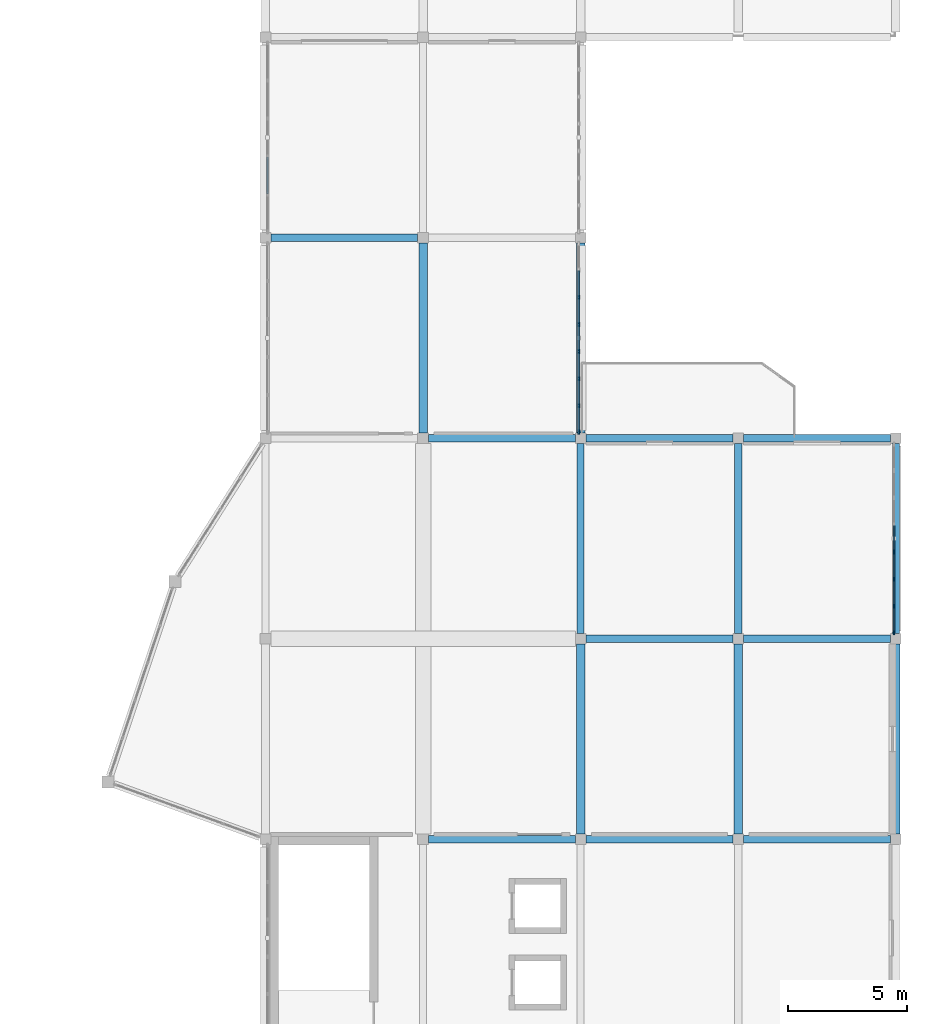
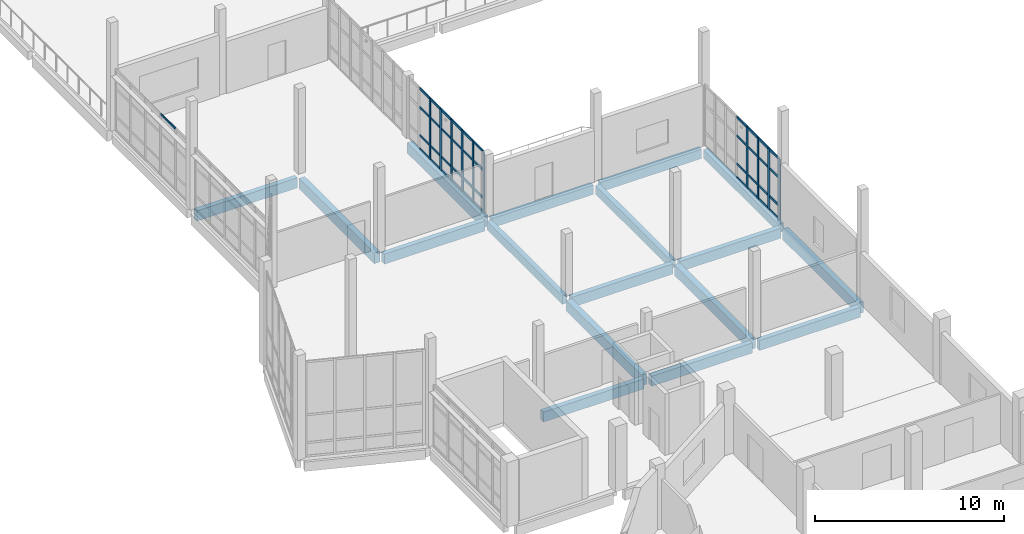
# One storey, part 33 of 78: 51 members, 17 beams, 3 elements without a shape of their own.
"""IFC4 building model written with IfcOpenShell, lengths in metres."""

from ifc_helpers import new_model, si_unit, direction, frame, origin, origin_2d, place, context, subcontext, project, spatial, rectangle, extrude, material, material_profile, profile_set, type_object, element, aggregate, save


model = new_model("IFC4")

# Units and contexts
model_context = context("Model", 3, precision=1e-05, world=origin(), true_north=direction((0.0, 1.0)))
body_context = subcontext(model_context, "Body", "Model", "MODEL_VIEW")
ifc_project = project(units=[si_unit("LENGTHUNIT", "METRE"), si_unit("AREAUNIT", "SQUARE_METRE"), si_unit("VOLUMEUNIT", "CUBIC_METRE"), si_unit("PLANEANGLEUNIT", "RADIAN"), si_unit("MASSUNIT", "GRAM", prefix="KILO")], contexts=[model_context])

# Site, building, storey
site_placement = place(None, origin())
site = spatial("IfcSite", under=ifc_project, at=site_placement, CompositionType="ELEMENT")
building_placement = place(site_placement, origin())
building = spatial("IfcBuilding", under=site, at=building_placement, Name="Qaldarim Faculty of Natural and Applied Sciences", CompositionType="ELEMENT")
storey_placement = place(building_placement, frame((0.0, 0.0, 18.60009765625)))
storey = spatial("IfcBuildingStorey", under=building, at=storey_placement, Name="L04", CompositionType="ELEMENT", Elevation=18.60009765625)

# Beams
ifc_material_1 = material(Name="Concrete C40/50", Category="concrete")
ifc_material_profile_1 = material_profile(ifc_material_1, rectangle(XDim=0.300048828125, YDim=0.550048828125, at=origin_2d()), Name="RC-B300x550")
ifc_profile_set_1 = profile_set([ifc_material_profile_1], Name="Concrete C40/50")
beam_type_1 = type_object("IfcBeamType", Name="FloorBeam-RC300x550", PredefinedType="BEAM", material=ifc_profile_set_1)
for number, where, z_axis, x_axis, name in (
    (1, (165.0, 75.824951171875, -0.53515625), (0.0, 1.0, 0.0), (-1.0, 0.0, 0.0), "Beam RC-B300x550 L03 X26/Y10-Y11"),
    (2, (171.60009765625, 75.824951171875, -0.53515625), (0.0, 1.0, 0.0), (-1.0, 0.0, 0.0), "Beam RC-B300x550 L03 X27/Y10-Y11"),
    (3, (178.199951171875, 75.824951171875, -0.53515625), (0.0, 1.0, 0.0), (-1.0, 0.0, 0.0), "Beam RC-B300x550 L03 X28/Y10-Y11"),
):
    element("IfcBeam", number, at=place(storey_placement, frame(where, z_axis=z_axis, x_axis=x_axis)), inside=storey, type_object=beam_type_1, Name=name, PredefinedType="BEAM", context=body_context, shape_type="SweptSolid", body=[
        extrude(rectangle(XDim=0.300048828125, YDim=0.550048828125, at=origin_2d()), origin(), (0.0, 0.0, 1.0), 7.949951171875),
    ])

# Curtain wall, members
ifc_material_2 = material(Name="Anodised aluminium AW-6063", Category="aluminium")
curtain_wall_type_1 = type_object("IfcCurtainWallType", Name="CurtainWallSystem-M1200", PredefinedType="USERDEFINED", material=ifc_material_2)
curtain_wall_1_placement = place(storey_placement, origin())
curtain_wall_1 = element("IfcCurtainWall", 4, at=curtain_wall_1_placement, inside=storey, type_object=curtain_wall_type_1, Name="Curtain wall CW-L04-E-X25Y11", ObjectType="STICK CURTAIN WALL", PredefinedType="USERDEFINED")
ifc_material_profile_2 = material_profile(ifc_material_2, rectangle(XDim=0.070068359375, YDim=0.179931640625, at=origin_2d()), Name="ALU-M70x180")
ifc_profile_set_2 = profile_set([ifc_material_profile_2], Name="Anodised aluminium AW-6063")
member_type_1 = type_object("IfcMemberType", Name="Mullion-ALU70x180", PredefinedType="MULLION", material=ifc_profile_set_2)
member_1_placement = place(storey_placement, frame((164.919921875, 84.2548828125, 0.0), z_axis=(0.0, 0.0, 1.0), x_axis=(-1.0, 0.0, 0.0)))
member_1 = element("IfcMember", 5, at=member_1_placement, type_object=member_type_1, Name="Mullion 1 of CW-L04-E-X25Y11", PredefinedType="MULLION", context=body_context, shape_type="SweptSolid", body=[
    extrude(rectangle(XDim=0.070068359375, YDim=0.179931640625, at=origin_2d()), origin(), (0.0, 0.0, 1.0), 3.93994140625),
])
member_2_placement = place(storey_placement, frame((164.919921875, 85.357177734375, 0.0), z_axis=(0.0, 0.0, 1.0), x_axis=(-1.0, 0.0, 0.0)))
member_2 = element("IfcMember", 6, at=member_2_placement, type_object=member_type_1, Name="Mullion 2 of CW-L04-E-X25Y11", PredefinedType="MULLION", context=body_context, shape_type="SweptSolid", body=[
    extrude(rectangle(XDim=0.070068359375, YDim=0.179931640625, at=origin_2d()), origin(), (0.0, 0.0, 1.0), 3.93994140625),
])
member_3_placement = place(storey_placement, frame((164.919921875, 86.494384765625, 0.0), z_axis=(0.0, 0.0, 1.0), x_axis=(-1.0, 0.0, 0.0)))
member_3 = element("IfcMember", 7, at=member_3_placement, type_object=member_type_1, Name="Mullion 3 of CW-L04-E-X25Y11", PredefinedType="MULLION", context=body_context, shape_type="SweptSolid", body=[
    extrude(rectangle(XDim=0.070068359375, YDim=0.179931640625, at=origin_2d()), origin(), (0.0, 0.0, 1.0), 3.93994140625),
])
member_4_placement = place(storey_placement, frame((164.919921875, 87.63134765625, 0.0), z_axis=(0.0, 0.0, 1.0), x_axis=(-1.0, 0.0, 0.0)))
member_4 = element("IfcMember", 8, at=member_4_placement, type_object=member_type_1, Name="Mullion 4 of CW-L04-E-X25Y11", PredefinedType="MULLION", context=body_context, shape_type="SweptSolid", body=[
    extrude(rectangle(XDim=0.070068359375, YDim=0.179931640625, at=origin_2d()), origin(), (0.0, 0.0, 1.0), 3.93994140625),
])
member_5_placement = place(storey_placement, frame((164.919921875, 88.7685546875, 0.0), z_axis=(0.0, 0.0, 1.0), x_axis=(-1.0, 0.0, 0.0)))
member_5 = element("IfcMember", 9, at=member_5_placement, type_object=member_type_1, Name="Mullion 5 of CW-L04-E-X25Y11", PredefinedType="MULLION", context=body_context, shape_type="SweptSolid", body=[
    extrude(rectangle(XDim=0.070068359375, YDim=0.179931640625, at=origin_2d()), origin(), (0.0, 0.0, 1.0), 3.93994140625),
])
member_6_placement = place(storey_placement, frame((164.919921875, 89.90576171875, 0.0), z_axis=(0.0, 0.0, 1.0), x_axis=(-1.0, 0.0, 0.0)))
member_6 = element("IfcMember", 10, at=member_6_placement, type_object=member_type_1, Name="Mullion 6 of CW-L04-E-X25Y11", PredefinedType="MULLION", context=body_context, shape_type="SweptSolid", body=[
    extrude(rectangle(XDim=0.070068359375, YDim=0.179931640625, at=origin_2d()), origin(), (0.0, 0.0, 1.0), 3.93994140625),
])

curtain_wall_2_placement = place(storey_placement, origin())
curtain_wall_2 = element("IfcCurtainWall", 11, at=curtain_wall_2_placement, inside=storey, type_object=curtain_wall_type_1, Name="Curtain wall CW-L04-E-X27Y10", ObjectType="STICK CURTAIN WALL", PredefinedType="USERDEFINED")
member_7_placement = place(storey_placement, frame((178.1201171875, 75.85498046875, 0.0), z_axis=(0.0, 0.0, 1.0), x_axis=(-1.0, 0.0, 0.0)))
member_7 = element("IfcMember", 12, at=member_7_placement, type_object=member_type_1, Name="Mullion 1 of CW-L04-E-X27Y10", PredefinedType="MULLION", context=body_context, shape_type="SweptSolid", body=[
    extrude(rectangle(XDim=0.070068359375, YDim=0.179931640625, at=origin_2d()), origin(), (0.0, 0.0, 1.0), 3.93994140625),
])
member_8_placement = place(storey_placement, frame((178.1201171875, 76.95703125, 0.0), z_axis=(0.0, 0.0, 1.0), x_axis=(-1.0, 0.0, 0.0)))
member_8 = element("IfcMember", 13, at=member_8_placement, type_object=member_type_1, Name="Mullion 2 of CW-L04-E-X27Y10", PredefinedType="MULLION", context=body_context, shape_type="SweptSolid", body=[
    extrude(rectangle(XDim=0.070068359375, YDim=0.179931640625, at=origin_2d()), origin(), (0.0, 0.0, 1.0), 3.93994140625),
])
member_9_placement = place(storey_placement, frame((178.1201171875, 78.09423828125, 0.0), z_axis=(0.0, 0.0, 1.0), x_axis=(-1.0, 0.0, 0.0)))
member_9 = element("IfcMember", 14, at=member_9_placement, type_object=member_type_1, Name="Mullion 3 of CW-L04-E-X27Y10", PredefinedType="MULLION", context=body_context, shape_type="SweptSolid", body=[
    extrude(rectangle(XDim=0.070068359375, YDim=0.179931640625, at=origin_2d()), origin(), (0.0, 0.0, 1.0), 3.93994140625),
])
member_10_placement = place(storey_placement, frame((178.1201171875, 79.2314453125, 0.0), z_axis=(0.0, 0.0, 1.0), x_axis=(-1.0, 0.0, 0.0)))
member_10 = element("IfcMember", 15, at=member_10_placement, type_object=member_type_1, Name="Mullion 4 of CW-L04-E-X27Y10", PredefinedType="MULLION", context=body_context, shape_type="SweptSolid", body=[
    extrude(rectangle(XDim=0.070068359375, YDim=0.179931640625, at=origin_2d()), origin(), (0.0, 0.0, 1.0), 3.93994140625),
])

# Beams
ifc_material_profile_3 = material_profile(ifc_material_1, rectangle(XDim=0.300048828125, YDim=0.64990234375, at=origin_2d()), Name="RC-B300x650")
ifc_profile_set_3 = profile_set([ifc_material_profile_3], Name="Concrete C40/50")
beam_type_2 = type_object("IfcBeamType", Name="PrimaryBeam-RC300x650", PredefinedType="BEAM", material=ifc_profile_set_3)
for number, where, z_axis, x_axis, name in (
    (16, (158.625, 67.199951171875, -0.585205078125), (1.0, 0.0, 0.0), (0.0, 1.0, 0.0), "Beam RC-B300x650 L03 X25-X26/Y09"),
    (17, (165.22509765625, 67.199951171875, -0.585205078125), (1.0, 0.0, 0.0), (0.0, 1.0, 0.0), "Beam RC-B300x650 L03 X26-X27/Y09"),
):
    element("IfcBeam", number, at=place(storey_placement, frame(where, z_axis=z_axis, x_axis=x_axis)), inside=storey, type_object=beam_type_2, Name=name, PredefinedType="BEAM", context=body_context, shape_type="SweptSolid", body=[
        extrude(rectangle(XDim=0.300048828125, YDim=0.64990234375, at=origin_2d()), origin(), (0.0, 0.0, 1.0), 6.14990234375),
    ])
beam_1_placement = place(storey_placement, frame((171.824951171875, 67.199951171875, -0.585205078125), z_axis=(1.0, 0.0, 0.0), x_axis=(0.0, 1.0, 0.0)))
element("IfcBeam", 18, at=beam_1_placement, inside=storey, type_object=beam_type_2, Name="Beam RC-B300x650 L03 X27-X28/Y09", PredefinedType="BEAM", context=body_context, shape_type="SweptSolid", body=[
    extrude(rectangle(XDim=0.300048828125, YDim=0.64990234375, at=origin_2d()), origin(), (0.0, 0.0, 1.0), 6.150146484375),
])
beam_2_placement = place(storey_placement, frame((165.22509765625, 75.60009765625, -0.585205078125), z_axis=(1.0, 0.0, 0.0), x_axis=(0.0, 1.0, 0.0)))
element("IfcBeam", 19, at=beam_2_placement, inside=storey, type_object=beam_type_2, Name="Beam RC-B300x650 L03 X26-X27/Y10", PredefinedType="BEAM", context=body_context, shape_type="SweptSolid", body=[
    extrude(rectangle(XDim=0.300048828125, YDim=0.64990234375, at=origin_2d()), origin(), (0.0, 0.0, 1.0), 6.14990234375),
])
beam_3_placement = place(storey_placement, frame((171.824951171875, 75.60009765625, -0.585205078125), z_axis=(1.0, 0.0, 0.0), x_axis=(0.0, 1.0, 0.0)))
element("IfcBeam", 20, at=beam_3_placement, inside=storey, type_object=beam_type_2, Name="Beam RC-B300x650 L03 X27-X28/Y10", PredefinedType="BEAM", context=body_context, shape_type="SweptSolid", body=[
    extrude(rectangle(XDim=0.300048828125, YDim=0.64990234375, at=origin_2d()), origin(), (0.0, 0.0, 1.0), 6.150146484375),
])
beam_4_placement = place(storey_placement, frame((158.625, 84.0, -0.585205078125), z_axis=(1.0, 0.0, 0.0), x_axis=(0.0, 1.0, 0.0)))
element("IfcBeam", 21, at=beam_4_placement, inside=storey, type_object=beam_type_2, Name="Beam RC-B300x650 L03 X25-X26/Y11", PredefinedType="BEAM", context=body_context, shape_type="SweptSolid", body=[
    extrude(rectangle(XDim=0.300048828125, YDim=0.64990234375, at=origin_2d()), origin(), (0.0, 0.0, 1.0), 6.14990234375),
])
beam_5_placement = place(storey_placement, frame((152.02490234375, 92.39990234375, -0.585205078125), z_axis=(1.0, 0.0, 0.0), x_axis=(0.0, 1.0, 0.0)))
element("IfcBeam", 22, at=beam_5_placement, inside=storey, type_object=beam_type_2, Name="Beam RC-B300x650 L03 X24-X25/Y12", PredefinedType="BEAM", context=body_context, shape_type="SweptSolid", body=[
    extrude(rectangle(XDim=0.300048828125, YDim=0.64990234375, at=origin_2d()), origin(), (0.0, 0.0, 1.0), 6.150146484375),
])
ifc_material_profile_4 = material_profile(ifc_material_1, rectangle(XDim=0.35009765625, YDim=0.699951171875, at=origin_2d()), Name="RC-B350x700")
ifc_profile_set_4 = profile_set([ifc_material_profile_4], Name="Concrete C40/50")
beam_type_3 = type_object("IfcBeamType", Name="PrimaryGirder-RC350x700", PredefinedType="BEAM", material=ifc_profile_set_4)
for number, where, z_axis, x_axis, name in (
    (23, (158.39990234375, 84.22509765625, -0.610107421875), (0.0, 1.0, 0.0), (-1.0, 0.0, 0.0), "Beam RC-B350x700 L03 X25/Y11-Y12"),
    (24, (165.0, 67.425048828125, -0.610107421875), (0.0, 1.0, 0.0), (-1.0, 0.0, 0.0), "Beam RC-B350x700 L03 X26/Y09-Y10"),
    (25, (165.0, 84.22509765625, -0.610107421875), (0.0, 1.0, 0.0), (-1.0, 0.0, 0.0), "Beam RC-B350x700 L03 X26/Y11-Y12"),
    (26, (171.60009765625, 67.425048828125, -0.610107421875), (0.0, 1.0, 0.0), (-1.0, 0.0, 0.0), "Beam RC-B350x700 L03 X27/Y09-Y10"),
    (27, (178.199951171875, 67.425048828125, -0.610107421875), (0.0, 1.0, 0.0), (-1.0, 0.0, 0.0), "Beam RC-B350x700 L03 X28/Y09-Y10"),
):
    element("IfcBeam", number, at=place(storey_placement, frame(where, z_axis=z_axis, x_axis=x_axis)), inside=storey, type_object=beam_type_3, Name=name, PredefinedType="BEAM", context=body_context, shape_type="SweptSolid", body=[
        extrude(rectangle(XDim=0.35009765625, YDim=0.699951171875, at=origin_2d()), origin(), (0.0, 0.0, 1.0), 7.949951171875),
    ])
ifc_material_3 = material(Name="Precast concrete C40/50", Category="concrete")
ifc_material_profile_5 = material_profile(ifc_material_3, rectangle(XDim=0.300048828125, YDim=0.60009765625, at=origin_2d()), Name="RC-SP300x600")
ifc_profile_set_5 = profile_set([ifc_material_profile_5], Name="Precast concrete C40/50")
beam_type_4 = type_object("IfcBeamType", Name="SpandrelBeam-RC300x600", PredefinedType="SPANDREL", material=ifc_profile_set_5)
beam_6_placement = place(storey_placement, frame((165.22509765625, 84.0, -0.56005859375), z_axis=(1.0, 0.0, 0.0), x_axis=(0.0, 1.0, 0.0)))
element("IfcBeam", 28, at=beam_6_placement, inside=storey, type_object=beam_type_4, Name="Beam RC-SP300x600 L03 X26-X27/Y11", PredefinedType="SPANDREL", context=body_context, shape_type="SweptSolid", body=[
    extrude(rectangle(XDim=0.300048828125, YDim=0.60009765625, at=origin_2d()), origin(), (0.0, 0.0, 1.0), 6.14990234375),
])
beam_7_placement = place(storey_placement, frame((171.824951171875, 84.0, -0.56005859375), z_axis=(1.0, 0.0, 0.0), x_axis=(0.0, 1.0, 0.0)))
element("IfcBeam", 29, at=beam_7_placement, inside=storey, type_object=beam_type_4, Name="Beam RC-SP300x600 L03 X27-X28/Y11", PredefinedType="SPANDREL", context=body_context, shape_type="SweptSolid", body=[
    extrude(rectangle(XDim=0.300048828125, YDim=0.60009765625, at=origin_2d()), origin(), (0.0, 0.0, 1.0), 6.150146484375),
])

# Curtain wall, member
curtain_wall_type_2 = type_object("IfcCurtainWallType", Name="CurtainWallSystem-M1600", PredefinedType="USERDEFINED", material=ifc_material_2)
curtain_wall_3_placement = place(storey_placement, origin())
curtain_wall_3 = element("IfcCurtainWall", 30, at=curtain_wall_3_placement, inside=storey, type_object=curtain_wall_type_2, Name="Curtain wall CW-L04-W-X24Y12", ObjectType="UNITISED FACADE", PredefinedType="USERDEFINED")
ifc_material_profile_6 = material_profile(ifc_material_2, rectangle(XDim=0.06005859375, YDim=0.1201171875, at=origin_2d()), Name="ALU-T60x120")
ifc_profile_set_6 = profile_set([ifc_material_profile_6], Name="Anodised aluminium AW-6063")
member_type_2 = type_object("IfcMemberType", Name="Transom-ALU60x120", PredefinedType="USERDEFINED", material=ifc_profile_set_6)
member_11_placement = place(storey_placement, frame((151.8798828125, 95.77392578125, 3.909912109375), z_axis=(0.0, -1.0, 0.0), x_axis=(1.0, 0.0, 0.0)))
member_11 = element("IfcMember", 31, at=member_11_placement, type_object=member_type_2, Name="Transom 4-4 of CW-L04-W-X24Y12", ObjectType="TRANSOM", PredefinedType="USERDEFINED", context=body_context, shape_type="SweptSolid", body=[
    extrude(rectangle(XDim=0.06005859375, YDim=0.1201171875, at=origin_2d()), origin(), (0.0, 0.0, 1.0), 1.531982421875),
])
aggregate(curtain_wall_3, [member_11])

# Member
ifc_material_profile_7 = material_profile(ifc_material_2, rectangle(XDim=0.070068359375, YDim=0.139892578125, at=origin_2d()), Name="ALU-T70x140")
ifc_profile_set_7 = profile_set([ifc_material_profile_7], Name="Anodised aluminium AW-6063")
member_type_3 = type_object("IfcMemberType", Name="Transom-ALU70x140", PredefinedType="USERDEFINED", material=ifc_profile_set_7)
member_12_placement = place(storey_placement, frame((164.919921875, 84.2900390625, 0.034912109375), z_axis=(0.0, 1.0, 0.0), x_axis=(-1.0, 0.0, 0.0)))
member_12 = element("IfcMember", 32, at=member_12_placement, type_object=member_type_3, Name="Transom 1-1 of CW-L04-E-X25Y11", ObjectType="TRANSOM", PredefinedType="USERDEFINED", context=body_context, shape_type="SweptSolid", body=[
    extrude(rectangle(XDim=0.070068359375, YDim=0.139892578125, at=origin_2d()), origin(), (0.0, 0.0, 1.0), 1.031982421875),
])

member_13_placement = place(storey_placement, frame((164.919921875, 84.2900390625, 0.89990234375), z_axis=(0.0, 1.0, 0.0), x_axis=(-1.0, 0.0, 0.0)))
member_13 = element("IfcMember", 33, at=member_13_placement, type_object=member_type_3, Name="Transom 1-2 of CW-L04-E-X25Y11", ObjectType="TRANSOM", PredefinedType="USERDEFINED", context=body_context, shape_type="SweptSolid", body=[
    extrude(rectangle(XDim=0.070068359375, YDim=0.139892578125, at=origin_2d()), origin(), (0.0, 0.0, 1.0), 1.031982421875),
])

member_14_placement = place(storey_placement, frame((164.919921875, 84.2900390625, 2.699951171875), z_axis=(0.0, 1.0, 0.0), x_axis=(-1.0, 0.0, 0.0)))
member_14 = element("IfcMember", 34, at=member_14_placement, type_object=member_type_3, Name="Transom 1-3 of CW-L04-E-X25Y11", ObjectType="TRANSOM", PredefinedType="USERDEFINED", context=body_context, shape_type="SweptSolid", body=[
    extrude(rectangle(XDim=0.070068359375, YDim=0.139892578125, at=origin_2d()), origin(), (0.0, 0.0, 1.0), 1.031982421875),
])

member_15_placement = place(storey_placement, frame((164.919921875, 84.2900390625, 3.90478515625), z_axis=(0.0, 1.0, 0.0), x_axis=(-1.0, 0.0, 0.0)))
member_15 = element("IfcMember", 35, at=member_15_placement, type_object=member_type_3, Name="Transom 1-4 of CW-L04-E-X25Y11", ObjectType="TRANSOM", PredefinedType="USERDEFINED", context=body_context, shape_type="SweptSolid", body=[
    extrude(rectangle(XDim=0.070068359375, YDim=0.139892578125, at=origin_2d()), origin(), (0.0, 0.0, 1.0), 1.031982421875),
])

member_16_placement = place(storey_placement, frame((164.919921875, 85.39208984375, 0.034912109375), z_axis=(0.0, 1.0, 0.0), x_axis=(-1.0, 0.0, 0.0)))
member_16 = element("IfcMember", 36, at=member_16_placement, type_object=member_type_3, Name="Transom 2-1 of CW-L04-E-X25Y11", ObjectType="TRANSOM", PredefinedType="USERDEFINED", context=body_context, shape_type="SweptSolid", body=[
    extrude(rectangle(XDim=0.070068359375, YDim=0.139892578125, at=origin_2d()), origin(), (0.0, 0.0, 1.0), 1.067138671875),
])

member_17_placement = place(storey_placement, frame((164.919921875, 85.39208984375, 0.89990234375), z_axis=(0.0, 1.0, 0.0), x_axis=(-1.0, 0.0, 0.0)))
member_17 = element("IfcMember", 37, at=member_17_placement, type_object=member_type_3, Name="Transom 2-2 of CW-L04-E-X25Y11", ObjectType="TRANSOM", PredefinedType="USERDEFINED", context=body_context, shape_type="SweptSolid", body=[
    extrude(rectangle(XDim=0.070068359375, YDim=0.139892578125, at=origin_2d()), origin(), (0.0, 0.0, 1.0), 1.067138671875),
])

member_18_placement = place(storey_placement, frame((164.919921875, 85.39208984375, 2.699951171875), z_axis=(0.0, 1.0, 0.0), x_axis=(-1.0, 0.0, 0.0)))
member_18 = element("IfcMember", 38, at=member_18_placement, type_object=member_type_3, Name="Transom 2-3 of CW-L04-E-X25Y11", ObjectType="TRANSOM", PredefinedType="USERDEFINED", context=body_context, shape_type="SweptSolid", body=[
    extrude(rectangle(XDim=0.070068359375, YDim=0.139892578125, at=origin_2d()), origin(), (0.0, 0.0, 1.0), 1.067138671875),
])

member_19_placement = place(storey_placement, frame((164.919921875, 85.39208984375, 3.90478515625), z_axis=(0.0, 1.0, 0.0), x_axis=(-1.0, 0.0, 0.0)))
member_19 = element("IfcMember", 39, at=member_19_placement, type_object=member_type_3, Name="Transom 2-4 of CW-L04-E-X25Y11", ObjectType="TRANSOM", PredefinedType="USERDEFINED", context=body_context, shape_type="SweptSolid", body=[
    extrude(rectangle(XDim=0.070068359375, YDim=0.139892578125, at=origin_2d()), origin(), (0.0, 0.0, 1.0), 1.067138671875),
])

member_20_placement = place(storey_placement, frame((164.919921875, 86.529296875, 0.034912109375), z_axis=(0.0, 1.0, 0.0), x_axis=(-1.0, 0.0, 0.0)))
member_20 = element("IfcMember", 40, at=member_20_placement, type_object=member_type_3, Name="Transom 3-1 of CW-L04-E-X25Y11", ObjectType="TRANSOM", PredefinedType="USERDEFINED", context=body_context, shape_type="SweptSolid", body=[
    extrude(rectangle(XDim=0.070068359375, YDim=0.139892578125, at=origin_2d()), origin(), (0.0, 0.0, 1.0), 1.067138671875),
])

member_21_placement = place(storey_placement, frame((164.919921875, 86.529296875, 0.89990234375), z_axis=(0.0, 1.0, 0.0), x_axis=(-1.0, 0.0, 0.0)))
member_21 = element("IfcMember", 41, at=member_21_placement, type_object=member_type_3, Name="Transom 3-2 of CW-L04-E-X25Y11", ObjectType="TRANSOM", PredefinedType="USERDEFINED", context=body_context, shape_type="SweptSolid", body=[
    extrude(rectangle(XDim=0.070068359375, YDim=0.139892578125, at=origin_2d()), origin(), (0.0, 0.0, 1.0), 1.067138671875),
])

member_22_placement = place(storey_placement, frame((164.919921875, 86.529296875, 2.699951171875), z_axis=(0.0, 1.0, 0.0), x_axis=(-1.0, 0.0, 0.0)))
member_22 = element("IfcMember", 42, at=member_22_placement, type_object=member_type_3, Name="Transom 3-3 of CW-L04-E-X25Y11", ObjectType="TRANSOM", PredefinedType="USERDEFINED", context=body_context, shape_type="SweptSolid", body=[
    extrude(rectangle(XDim=0.070068359375, YDim=0.139892578125, at=origin_2d()), origin(), (0.0, 0.0, 1.0), 1.067138671875),
])

member_23_placement = place(storey_placement, frame((164.919921875, 86.529296875, 3.90478515625), z_axis=(0.0, 1.0, 0.0), x_axis=(-1.0, 0.0, 0.0)))
member_23 = element("IfcMember", 43, at=member_23_placement, type_object=member_type_3, Name="Transom 3-4 of CW-L04-E-X25Y11", ObjectType="TRANSOM", PredefinedType="USERDEFINED", context=body_context, shape_type="SweptSolid", body=[
    extrude(rectangle(XDim=0.070068359375, YDim=0.139892578125, at=origin_2d()), origin(), (0.0, 0.0, 1.0), 1.067138671875),
])

member_24_placement = place(storey_placement, frame((164.919921875, 87.66650390625, 0.034912109375), z_axis=(0.0, 1.0, 0.0), x_axis=(-1.0, 0.0, 0.0)))
member_24 = element("IfcMember", 44, at=member_24_placement, type_object=member_type_3, Name="Transom 4-1 of CW-L04-E-X25Y11", ObjectType="TRANSOM", PredefinedType="USERDEFINED", context=body_context, shape_type="SweptSolid", body=[
    extrude(rectangle(XDim=0.070068359375, YDim=0.139892578125, at=origin_2d()), origin(), (0.0, 0.0, 1.0), 1.067138671875),
])

member_25_placement = place(storey_placement, frame((164.919921875, 87.66650390625, 0.89990234375), z_axis=(0.0, 1.0, 0.0), x_axis=(-1.0, 0.0, 0.0)))
member_25 = element("IfcMember", 45, at=member_25_placement, type_object=member_type_3, Name="Transom 4-2 of CW-L04-E-X25Y11", ObjectType="TRANSOM", PredefinedType="USERDEFINED", context=body_context, shape_type="SweptSolid", body=[
    extrude(rectangle(XDim=0.070068359375, YDim=0.139892578125, at=origin_2d()), origin(), (0.0, 0.0, 1.0), 1.067138671875),
])

member_26_placement = place(storey_placement, frame((164.919921875, 87.66650390625, 2.699951171875), z_axis=(0.0, 1.0, 0.0), x_axis=(-1.0, 0.0, 0.0)))
member_26 = element("IfcMember", 46, at=member_26_placement, type_object=member_type_3, Name="Transom 4-3 of CW-L04-E-X25Y11", ObjectType="TRANSOM", PredefinedType="USERDEFINED", context=body_context, shape_type="SweptSolid", body=[
    extrude(rectangle(XDim=0.070068359375, YDim=0.139892578125, at=origin_2d()), origin(), (0.0, 0.0, 1.0), 1.067138671875),
])

member_27_placement = place(storey_placement, frame((164.919921875, 87.66650390625, 3.90478515625), z_axis=(0.0, 1.0, 0.0), x_axis=(-1.0, 0.0, 0.0)))
member_27 = element("IfcMember", 47, at=member_27_placement, type_object=member_type_3, Name="Transom 4-4 of CW-L04-E-X25Y11", ObjectType="TRANSOM", PredefinedType="USERDEFINED", context=body_context, shape_type="SweptSolid", body=[
    extrude(rectangle(XDim=0.070068359375, YDim=0.139892578125, at=origin_2d()), origin(), (0.0, 0.0, 1.0), 1.067138671875),
])

member_28_placement = place(storey_placement, frame((164.919921875, 88.8037109375, 0.034912109375), z_axis=(0.0, 1.0, 0.0), x_axis=(-1.0, 0.0, 0.0)))
member_28 = element("IfcMember", 48, at=member_28_placement, type_object=member_type_3, Name="Transom 5-1 of CW-L04-E-X25Y11", ObjectType="TRANSOM", PredefinedType="USERDEFINED", context=body_context, shape_type="SweptSolid", body=[
    extrude(rectangle(XDim=0.070068359375, YDim=0.139892578125, at=origin_2d()), origin(), (0.0, 0.0, 1.0), 1.06689453125),
])

member_29_placement = place(storey_placement, frame((164.919921875, 88.8037109375, 0.89990234375), z_axis=(0.0, 1.0, 0.0), x_axis=(-1.0, 0.0, 0.0)))
member_29 = element("IfcMember", 49, at=member_29_placement, type_object=member_type_3, Name="Transom 5-2 of CW-L04-E-X25Y11", ObjectType="TRANSOM", PredefinedType="USERDEFINED", context=body_context, shape_type="SweptSolid", body=[
    extrude(rectangle(XDim=0.070068359375, YDim=0.139892578125, at=origin_2d()), origin(), (0.0, 0.0, 1.0), 1.06689453125),
])

member_30_placement = place(storey_placement, frame((164.919921875, 88.8037109375, 2.699951171875), z_axis=(0.0, 1.0, 0.0), x_axis=(-1.0, 0.0, 0.0)))
member_30 = element("IfcMember", 50, at=member_30_placement, type_object=member_type_3, Name="Transom 5-3 of CW-L04-E-X25Y11", ObjectType="TRANSOM", PredefinedType="USERDEFINED", context=body_context, shape_type="SweptSolid", body=[
    extrude(rectangle(XDim=0.070068359375, YDim=0.139892578125, at=origin_2d()), origin(), (0.0, 0.0, 1.0), 1.06689453125),
])

member_31_placement = place(storey_placement, frame((164.919921875, 88.8037109375, 3.90478515625), z_axis=(0.0, 1.0, 0.0), x_axis=(-1.0, 0.0, 0.0)))
member_31 = element("IfcMember", 51, at=member_31_placement, type_object=member_type_3, Name="Transom 5-4 of CW-L04-E-X25Y11", ObjectType="TRANSOM", PredefinedType="USERDEFINED", context=body_context, shape_type="SweptSolid", body=[
    extrude(rectangle(XDim=0.070068359375, YDim=0.139892578125, at=origin_2d()), origin(), (0.0, 0.0, 1.0), 1.06689453125),
])

member_32_placement = place(storey_placement, frame((164.919921875, 89.940673828125, 0.034912109375), z_axis=(0.0, 1.0, 0.0), x_axis=(-1.0, 0.0, 0.0)))
member_32 = element("IfcMember", 52, at=member_32_placement, type_object=member_type_3, Name="Transom 6-1 of CW-L04-E-X25Y11", ObjectType="TRANSOM", PredefinedType="USERDEFINED", context=body_context, shape_type="SweptSolid", body=[
    extrude(rectangle(XDim=0.070068359375, YDim=0.139892578125, at=origin_2d()), origin(), (0.0, 0.0, 1.0), 1.067138671875),
])

member_33_placement = place(storey_placement, frame((164.919921875, 89.940673828125, 0.89990234375), z_axis=(0.0, 1.0, 0.0), x_axis=(-1.0, 0.0, 0.0)))
member_33 = element("IfcMember", 53, at=member_33_placement, type_object=member_type_3, Name="Transom 6-2 of CW-L04-E-X25Y11", ObjectType="TRANSOM", PredefinedType="USERDEFINED", context=body_context, shape_type="SweptSolid", body=[
    extrude(rectangle(XDim=0.070068359375, YDim=0.139892578125, at=origin_2d()), origin(), (0.0, 0.0, 1.0), 1.067138671875),
])

member_34_placement = place(storey_placement, frame((164.919921875, 89.940673828125, 2.699951171875), z_axis=(0.0, 1.0, 0.0), x_axis=(-1.0, 0.0, 0.0)))
member_34 = element("IfcMember", 54, at=member_34_placement, type_object=member_type_3, Name="Transom 6-3 of CW-L04-E-X25Y11", ObjectType="TRANSOM", PredefinedType="USERDEFINED", context=body_context, shape_type="SweptSolid", body=[
    extrude(rectangle(XDim=0.070068359375, YDim=0.139892578125, at=origin_2d()), origin(), (0.0, 0.0, 1.0), 1.067138671875),
])

member_35_placement = place(storey_placement, frame((164.919921875, 89.940673828125, 3.90478515625), z_axis=(0.0, 1.0, 0.0), x_axis=(-1.0, 0.0, 0.0)))
member_35 = element("IfcMember", 55, at=member_35_placement, type_object=member_type_3, Name="Transom 6-4 of CW-L04-E-X25Y11", ObjectType="TRANSOM", PredefinedType="USERDEFINED", context=body_context, shape_type="SweptSolid", body=[
    extrude(rectangle(XDim=0.070068359375, YDim=0.139892578125, at=origin_2d()), origin(), (0.0, 0.0, 1.0), 1.067138671875),
])

aggregate(curtain_wall_1, [member_1, member_2, member_3, member_4, member_5, member_6, member_12, member_13, member_14, member_15, member_16, member_17, member_18, member_19, member_20, member_21, member_22, member_23, member_24, member_25, member_26, member_27, member_28, member_29, member_30, member_31, member_32, member_33, member_34, member_35])

member_36_placement = place(storey_placement, frame((178.1201171875, 75.889892578125, 0.034912109375), z_axis=(0.0, 1.0, 0.0), x_axis=(-1.0, 0.0, 0.0)))
member_36 = element("IfcMember", 56, at=member_36_placement, type_object=member_type_3, Name="Transom 1-1 of CW-L04-E-X27Y10", ObjectType="TRANSOM", PredefinedType="USERDEFINED", context=body_context, shape_type="SweptSolid", body=[
    extrude(rectangle(XDim=0.070068359375, YDim=0.139892578125, at=origin_2d()), origin(), (0.0, 0.0, 1.0), 1.0322265625),
])

member_37_placement = place(storey_placement, frame((178.1201171875, 75.889892578125, 0.89990234375), z_axis=(0.0, 1.0, 0.0), x_axis=(-1.0, 0.0, 0.0)))
member_37 = element("IfcMember", 57, at=member_37_placement, type_object=member_type_3, Name="Transom 1-2 of CW-L04-E-X27Y10", ObjectType="TRANSOM", PredefinedType="USERDEFINED", context=body_context, shape_type="SweptSolid", body=[
    extrude(rectangle(XDim=0.070068359375, YDim=0.139892578125, at=origin_2d()), origin(), (0.0, 0.0, 1.0), 1.0322265625),
])

member_38_placement = place(storey_placement, frame((178.1201171875, 75.889892578125, 2.699951171875), z_axis=(0.0, 1.0, 0.0), x_axis=(-1.0, 0.0, 0.0)))
member_38 = element("IfcMember", 58, at=member_38_placement, type_object=member_type_3, Name="Transom 1-3 of CW-L04-E-X27Y10", ObjectType="TRANSOM", PredefinedType="USERDEFINED", context=body_context, shape_type="SweptSolid", body=[
    extrude(rectangle(XDim=0.070068359375, YDim=0.139892578125, at=origin_2d()), origin(), (0.0, 0.0, 1.0), 1.0322265625),
])

member_39_placement = place(storey_placement, frame((178.1201171875, 75.889892578125, 3.90478515625), z_axis=(0.0, 1.0, 0.0), x_axis=(-1.0, 0.0, 0.0)))
member_39 = element("IfcMember", 59, at=member_39_placement, type_object=member_type_3, Name="Transom 1-4 of CW-L04-E-X27Y10", ObjectType="TRANSOM", PredefinedType="USERDEFINED", context=body_context, shape_type="SweptSolid", body=[
    extrude(rectangle(XDim=0.070068359375, YDim=0.139892578125, at=origin_2d()), origin(), (0.0, 0.0, 1.0), 1.0322265625),
])

member_40_placement = place(storey_placement, frame((178.1201171875, 76.9921875, 0.034912109375), z_axis=(0.0, 1.0, 0.0), x_axis=(-1.0, 0.0, 0.0)))
member_40 = element("IfcMember", 60, at=member_40_placement, type_object=member_type_3, Name="Transom 2-1 of CW-L04-E-X27Y10", ObjectType="TRANSOM", PredefinedType="USERDEFINED", context=body_context, shape_type="SweptSolid", body=[
    extrude(rectangle(XDim=0.070068359375, YDim=0.139892578125, at=origin_2d()), origin(), (0.0, 0.0, 1.0), 1.067138671875),
])

member_41_placement = place(storey_placement, frame((178.1201171875, 76.9921875, 0.89990234375), z_axis=(0.0, 1.0, 0.0), x_axis=(-1.0, 0.0, 0.0)))
member_41 = element("IfcMember", 61, at=member_41_placement, type_object=member_type_3, Name="Transom 2-2 of CW-L04-E-X27Y10", ObjectType="TRANSOM", PredefinedType="USERDEFINED", context=body_context, shape_type="SweptSolid", body=[
    extrude(rectangle(XDim=0.070068359375, YDim=0.139892578125, at=origin_2d()), origin(), (0.0, 0.0, 1.0), 1.067138671875),
])

member_42_placement = place(storey_placement, frame((178.1201171875, 76.9921875, 2.699951171875), z_axis=(0.0, 1.0, 0.0), x_axis=(-1.0, 0.0, 0.0)))
member_42 = element("IfcMember", 62, at=member_42_placement, type_object=member_type_3, Name="Transom 2-3 of CW-L04-E-X27Y10", ObjectType="TRANSOM", PredefinedType="USERDEFINED", context=body_context, shape_type="SweptSolid", body=[
    extrude(rectangle(XDim=0.070068359375, YDim=0.139892578125, at=origin_2d()), origin(), (0.0, 0.0, 1.0), 1.067138671875),
])

member_43_placement = place(storey_placement, frame((178.1201171875, 76.9921875, 3.90478515625), z_axis=(0.0, 1.0, 0.0), x_axis=(-1.0, 0.0, 0.0)))
member_43 = element("IfcMember", 63, at=member_43_placement, type_object=member_type_3, Name="Transom 2-4 of CW-L04-E-X27Y10", ObjectType="TRANSOM", PredefinedType="USERDEFINED", context=body_context, shape_type="SweptSolid", body=[
    extrude(rectangle(XDim=0.070068359375, YDim=0.139892578125, at=origin_2d()), origin(), (0.0, 0.0, 1.0), 1.067138671875),
])

member_44_placement = place(storey_placement, frame((178.1201171875, 78.12939453125, 0.034912109375), z_axis=(0.0, 1.0, 0.0), x_axis=(-1.0, 0.0, 0.0)))
member_44 = element("IfcMember", 64, at=member_44_placement, type_object=member_type_3, Name="Transom 3-1 of CW-L04-E-X27Y10", ObjectType="TRANSOM", PredefinedType="USERDEFINED", context=body_context, shape_type="SweptSolid", body=[
    extrude(rectangle(XDim=0.070068359375, YDim=0.139892578125, at=origin_2d()), origin(), (0.0, 0.0, 1.0), 1.06689453125),
])

member_45_placement = place(storey_placement, frame((178.1201171875, 78.12939453125, 0.89990234375), z_axis=(0.0, 1.0, 0.0), x_axis=(-1.0, 0.0, 0.0)))
member_45 = element("IfcMember", 65, at=member_45_placement, type_object=member_type_3, Name="Transom 3-2 of CW-L04-E-X27Y10", ObjectType="TRANSOM", PredefinedType="USERDEFINED", context=body_context, shape_type="SweptSolid", body=[
    extrude(rectangle(XDim=0.070068359375, YDim=0.139892578125, at=origin_2d()), origin(), (0.0, 0.0, 1.0), 1.06689453125),
])

member_46_placement = place(storey_placement, frame((178.1201171875, 78.12939453125, 2.699951171875), z_axis=(0.0, 1.0, 0.0), x_axis=(-1.0, 0.0, 0.0)))
member_46 = element("IfcMember", 66, at=member_46_placement, type_object=member_type_3, Name="Transom 3-3 of CW-L04-E-X27Y10", ObjectType="TRANSOM", PredefinedType="USERDEFINED", context=body_context, shape_type="SweptSolid", body=[
    extrude(rectangle(XDim=0.070068359375, YDim=0.139892578125, at=origin_2d()), origin(), (0.0, 0.0, 1.0), 1.06689453125),
])

member_47_placement = place(storey_placement, frame((178.1201171875, 78.12939453125, 3.90478515625), z_axis=(0.0, 1.0, 0.0), x_axis=(-1.0, 0.0, 0.0)))
member_47 = element("IfcMember", 67, at=member_47_placement, type_object=member_type_3, Name="Transom 3-4 of CW-L04-E-X27Y10", ObjectType="TRANSOM", PredefinedType="USERDEFINED", context=body_context, shape_type="SweptSolid", body=[
    extrude(rectangle(XDim=0.070068359375, YDim=0.139892578125, at=origin_2d()), origin(), (0.0, 0.0, 1.0), 1.06689453125),
])

member_48_placement = place(storey_placement, frame((178.1201171875, 79.266357421875, 0.034912109375), z_axis=(0.0, 1.0, 0.0), x_axis=(-1.0, 0.0, 0.0)))
member_48 = element("IfcMember", 68, at=member_48_placement, type_object=member_type_3, Name="Transom 4-1 of CW-L04-E-X27Y10", ObjectType="TRANSOM", PredefinedType="USERDEFINED", context=body_context, shape_type="SweptSolid", body=[
    extrude(rectangle(XDim=0.070068359375, YDim=0.139892578125, at=origin_2d()), origin(), (0.0, 0.0, 1.0), 1.067138671875),
])

member_49_placement = place(storey_placement, frame((178.1201171875, 79.266357421875, 0.89990234375), z_axis=(0.0, 1.0, 0.0), x_axis=(-1.0, 0.0, 0.0)))
member_49 = element("IfcMember", 69, at=member_49_placement, type_object=member_type_3, Name="Transom 4-2 of CW-L04-E-X27Y10", ObjectType="TRANSOM", PredefinedType="USERDEFINED", context=body_context, shape_type="SweptSolid", body=[
    extrude(rectangle(XDim=0.070068359375, YDim=0.139892578125, at=origin_2d()), origin(), (0.0, 0.0, 1.0), 1.067138671875),
])

member_50_placement = place(storey_placement, frame((178.1201171875, 79.266357421875, 2.699951171875), z_axis=(0.0, 1.0, 0.0), x_axis=(-1.0, 0.0, 0.0)))
member_50 = element("IfcMember", 70, at=member_50_placement, type_object=member_type_3, Name="Transom 4-3 of CW-L04-E-X27Y10", ObjectType="TRANSOM", PredefinedType="USERDEFINED", context=body_context, shape_type="SweptSolid", body=[
    extrude(rectangle(XDim=0.070068359375, YDim=0.139892578125, at=origin_2d()), origin(), (0.0, 0.0, 1.0), 1.067138671875),
])

member_51_placement = place(storey_placement, frame((178.1201171875, 79.266357421875, 3.90478515625), z_axis=(0.0, 1.0, 0.0), x_axis=(-1.0, 0.0, 0.0)))
member_51 = element("IfcMember", 71, at=member_51_placement, type_object=member_type_3, Name="Transom 4-4 of CW-L04-E-X27Y10", ObjectType="TRANSOM", PredefinedType="USERDEFINED", context=body_context, shape_type="SweptSolid", body=[
    extrude(rectangle(XDim=0.070068359375, YDim=0.139892578125, at=origin_2d()), origin(), (0.0, 0.0, 1.0), 1.067138671875),
])

aggregate(curtain_wall_2, [member_7, member_8, member_9, member_10, member_36, member_37, member_38, member_39, member_40, member_41, member_42, member_43, member_44, member_45, member_46, member_47, member_48, member_49, member_50, member_51])

save(model, "model.ifc")
